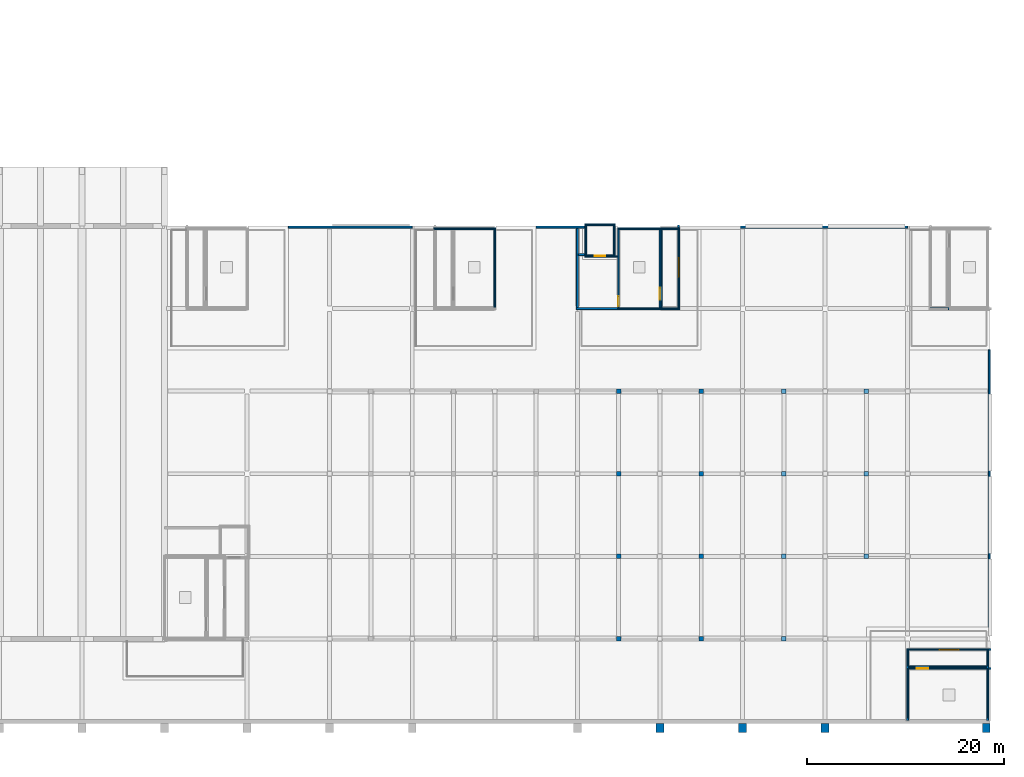
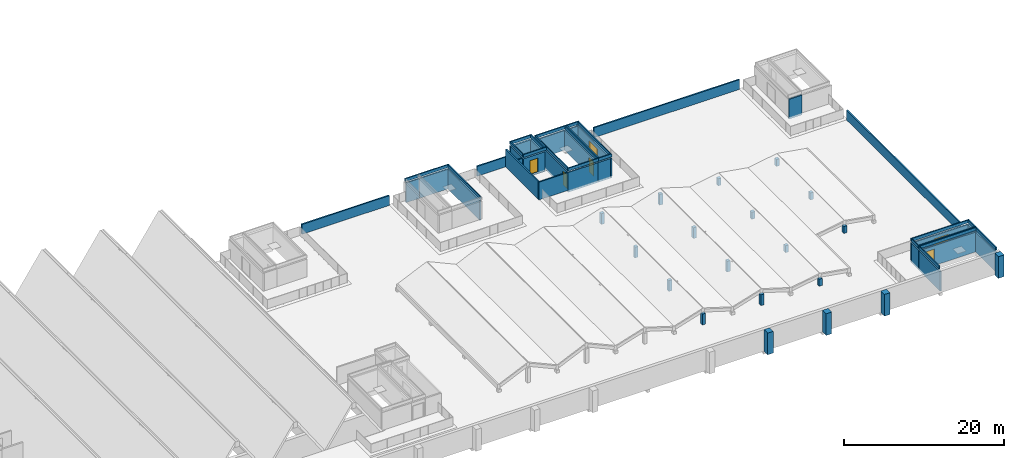
# One storey, part 16 of 24: 69 walls, 6 doors, 6 openings.
"""IFC4 building model written with IfcOpenShell, lengths in metres."""

import ifcopenshell
import ifcopenshell.guid

model = None  # the IFC model being written
_history = None  # IfcOwnerHistory: only IFC2X3 demands one
_inside = {}  # id of a spatial element -> (the spatial element, [elements in it])
_under = {}  # id of a project, library or spatial element -> (it, [spatial elements below it])
_declared = {}  # id of a project -> (the project, [libraries it declares])
_typed = {}  # id of a type object -> (the type object, [elements of that type])
_made_of = {}  # id of a material, layer set ... -> (it, [elements and type objects made of it])


def new_model(schema):
    """Start an empty IFC model of exactly this schema.

    Asked for "IFC4X3", IfcOpenShell would pick the latest addendum, in which some entities
    have other attributes; the version numbers below select the first issue.
    IFC2X3 requires an IfcOwnerHistory on every rooted entity: one is made here for all.
    """
    global model, _history
    if schema == "IFC4X3":
        model = ifcopenshell.file(schema_version=(4, 3, 0, 0))
    else:
        model = ifcopenshell.file(schema=schema)
    _inside.clear()
    _under.clear()
    _declared.clear()
    _typed.clear()
    _made_of.clear()
    _history = None
    if model.schema == "IFC2X3":
        org = make("IfcOrganization", Name="unknown")
        user = make(
            "IfcPersonAndOrganization",
            ThePerson=make("IfcPerson", FamilyName="unknown"),
            TheOrganization=org,
        )
        app = make(
            "IfcApplication",
            ApplicationDeveloper=org,
            Version="unknown",
            ApplicationFullName="unknown",
            ApplicationIdentifier="unknown",
        )
        _history = make(
            "IfcOwnerHistory",
            OwningUser=user,
            OwningApplication=app,
            ChangeAction="ADDED",
            CreationDate=0,
        )
    return model


def make(cls, **values):
    """One entity of the class cls with the attributes given. An attribute that is None is left unset."""
    return model.create_entity(
        cls, **{name: value for name, value in values.items() if value is not None}
    )


def rooted(cls, **values):
    """An entity with a GlobalId (a new one), such as an element, a storey or a relation."""
    return make(cls, GlobalId=ifcopenshell.guid.new(), OwnerHistory=_history, **values)


def si_unit(unit_type, name, prefix=None):
    """IfcSIUnit, for example si_unit("LENGTHUNIT", "METRE", prefix="MILLI")."""
    return make("IfcSIUnit", UnitType=unit_type, Prefix=prefix, Name=name)


def assignment(units):
    """IfcUnitAssignment: the units of a project."""
    return None if units is None else make("IfcUnitAssignment", Units=units)


def point(xyz):
    """IfcCartesianPoint."""
    return None if xyz is None else make("IfcCartesianPoint", Coordinates=xyz)


def direction(xyz):
    """IfcDirection."""
    return None if xyz is None else make("IfcDirection", DirectionRatios=xyz)


def frame(location, z_axis=None, x_axis=None):
    """IfcAxis2Placement3D, a coordinate frame: its origin and axes. An axis left out is left unset."""
    return make(
        "IfcAxis2Placement3D",
        Location=point(location),
        Axis=direction(z_axis),
        RefDirection=direction(x_axis),
    )


def frame_2d(location, x_axis=None):
    """IfcAxis2Placement2D, a coordinate frame in the plane: its origin and x axis."""
    return make(
        "IfcAxis2Placement2D", Location=point(location), RefDirection=direction(x_axis)
    )


def origin():
    """The frame at (0, 0, 0) with its axes left unset."""
    return frame((0.0, 0.0, 0.0))


def place(relative_to, where):
    """IfcLocalPlacement: puts the frame where relative to a parent placement (None: the world)."""
    return make(
        "IfcLocalPlacement", PlacementRelTo=relative_to, RelativePlacement=where
    )


def context(
    kind, dimensions, precision=None, world=None, true_north=None, identifier=None
):
    """IfcGeometricRepresentationContext, for example the 3D "Model" context."""
    return make(
        "IfcGeometricRepresentationContext",
        ContextIdentifier=identifier,
        ContextType=kind,
        CoordinateSpaceDimension=dimensions,
        Precision=precision,
        WorldCoordinateSystem=world,
        TrueNorth=true_north,
    )


def subcontext(parent, identifier, kind, view, scale=None):
    """IfcGeometricRepresentationSubContext, for example "Body" below "Model"."""
    return make(
        "IfcGeometricRepresentationSubContext",
        ContextIdentifier=identifier,
        ContextType=kind,
        ParentContext=parent,
        TargetScale=scale,
        TargetView=view,
    )


def project(units=None, contexts=None):
    """IfcProject with its units and contexts."""
    return rooted(
        "IfcProject",
        Name="project",
        RepresentationContexts=contexts,
        UnitsInContext=assignment(units),
    )


def spatial(cls, under=None, at=None, **own):
    """A site, building, storey or space (cls), placed at a placement, below another one or the project."""
    s = rooted(cls, ObjectPlacement=at, **own)
    if under is not None:
        _under.setdefault(under.id(), (under, []))[1].append(s)
    return s


def profile(cls, at=None, kind="AREA", **sizes):
    """A parametric profile (cls). Its sizes go by their IFC names, for example OverallWidth=200.0."""
    return make(cls, ProfileType=kind, Position=at, **sizes)


def rectangle(**sizes):
    """IfcRectangleProfileDef."""
    return profile("IfcRectangleProfileDef", **sizes)


def extrude(swept, where, along, depth):
    """IfcExtrudedAreaSolid: the profile swept, set in the frame where, extruded along a direction by depth."""
    return make(
        "IfcExtrudedAreaSolid",
        SweptArea=swept,
        Position=where,
        ExtrudedDirection=direction(along),
        Depth=depth,
    )


def shape(context_of_items, identifier, shape_type, items):
    """IfcShapeRepresentation: the items that make up one representation, for example the "Body"."""
    return make(
        "IfcShapeRepresentation",
        ContextOfItems=context_of_items,
        RepresentationIdentifier=identifier,
        RepresentationType=shape_type,
        Items=items,
    )


def material(Name=None, Category=None):
    """IfcMaterial."""
    return make("IfcMaterial", Name=Name, Category=Category)


def layer(
    of_material, thickness, ventilated=None, Name=None, Category=None, Priority=None
):
    """IfcMaterialLayer: one layer of a wall or slab, of a material (None: an air gap)."""
    return make(
        "IfcMaterialLayer",
        Material=of_material,
        LayerThickness=thickness,
        IsVentilated=ventilated,
        Name=Name,
        Category=Category,
        Priority=Priority,
    )


def layer_set(layers, Name=None):
    """IfcMaterialLayerSet."""
    return make("IfcMaterialLayerSet", MaterialLayers=layers, LayerSetName=Name)


def made_of(thing, what):
    """Note that an element or type object is made of a material, layer set ...; save() writes the relation."""
    if what is not None:
        _made_of.setdefault(what.id(), (what, []))[1].append(thing)
    return thing


def type_object(cls, material=None, **own):
    """A type object (cls), such as IfcWallType, which elements share."""
    return made_of(rooted(cls, **own), material)


def element(
    cls,
    number,
    at=None,
    inside=None,
    cuts=None,
    type_object=None,
    material=None,
    context=None,
    identifier="Body",
    shape_type=None,
    held_by="IfcProductDefinitionShape",
    body=None,
    shapes=None,
    **own,
):
    """One element of the class cls, such as IfcWall. Its Tag is "e" and its number.

    at: its placement. inside: the storey or other place that contains it. cuts: it is an
    opening in that element (IfcRelVoidsElement). A single representation is given by context,
    identifier, shape_type and body (its items); several are given by shapes. held_by: the class
    of the entity that holds the representations. save() writes the other relations.
    """
    e = rooted(cls, Tag="e%d" % number, ObjectPlacement=at, **own)
    if body is not None:
        shapes = [shape(context, identifier, shape_type, body)]
    if shapes is not None:
        e.Representation = make(held_by, Representations=shapes)
    if inside is not None:
        _inside.setdefault(inside.id(), (inside, []))[1].append(e)
    if cuts is not None:
        rooted(
            "IfcRelVoidsElement", RelatingBuildingElement=cuts, RelatedOpeningElement=e
        )
    if type_object is not None:
        _typed.setdefault(type_object.id(), (type_object, []))[1].append(e)
    return made_of(e, material)


def fill(opening, filler):
    """IfcRelFillsElement: the door or window that sits in an opening."""
    return rooted(
        "IfcRelFillsElement",
        RelatingOpeningElement=opening,
        RelatedBuildingElement=filler,
    )


def aggregate(whole, parts):
    """IfcRelAggregates: a whole, such as a stair, and the parts it consists of."""
    return rooted("IfcRelAggregates", RelatingObject=whole, RelatedObjects=parts)


def save(model, path):
    """Write the relations noted so far, then the file.

    IfcRelAggregates (storeys below a building ...), IfcRelContainedInSpatialStructure (elements
    in a storey), IfcRelDefinesByType, IfcRelAssociatesMaterial and IfcRelDeclares: one each for
    every whole, place, type object, material and project.
    """
    for whole, parts in _under.values():
        aggregate(whole, parts)
    for where, things in _inside.values():
        rooted(
            "IfcRelContainedInSpatialStructure",
            RelatedElements=things,
            RelatingStructure=where,
        )
    for kind, things in _typed.values():
        rooted("IfcRelDefinesByType", RelatedObjects=things, RelatingType=kind)
    for what, things in _made_of.values():
        rooted("IfcRelAssociatesMaterial", RelatedObjects=things, RelatingMaterial=what)
    for by, libraries in _declared.values():
        rooted("IfcRelDeclares", RelatingContext=by, RelatedDefinitions=libraries)
    model.write(path)


model = new_model("IFC4")

# Units and contexts
model_context = context("Model", 3, precision=1e-05, world=origin(), true_north=direction((0.0, 1.0)))
body_context = subcontext(model_context, "Body", "Model", "MODEL_VIEW")
ifc_project = project(units=[si_unit("LENGTHUNIT", "METRE"), si_unit("AREAUNIT", "SQUARE_METRE"), si_unit("VOLUMEUNIT", "CUBIC_METRE"), si_unit("PLANEANGLEUNIT", "RADIAN"), si_unit("MASSUNIT", "GRAM", prefix="KILO")], contexts=[model_context])

# Site, building, storey
site_placement = place(None, origin())
site = spatial("IfcSite", under=ifc_project, at=site_placement, CompositionType="ELEMENT")
building_placement = place(site_placement, origin())
building = spatial("IfcBuilding", under=site, at=building_placement, Name="Rulbaag Community and Learning Centre", CompositionType="ELEMENT")
storey_placement = place(building_placement, frame((0.0, 0.0, 14.39990234375)))
storey = spatial("IfcBuildingStorey", under=building, at=storey_placement, Name="L03", CompositionType="ELEMENT", Elevation=14.39990234375)

# Walls
ifc_material_1 = material(Name="Concrete M40", Category="concrete")
ifc_layer_1 = layer(ifc_material_1, 0.800048828125)
ifc_layer_set_1 = layer_set([ifc_layer_1], Name="EW-BTR")
wall_type_1 = type_object("IfcWallType", Name="EW-BTR", PredefinedType="SOLIDWALL", material=ifc_layer_set_1)
for number, where, z_axis, x_axis, name in (
    (1, (134.39990234375, -0.22509765625, -0.2998046875), (0.0, 0.0, 1.0), (0.0, -1.0, 0.0), "Buttress pier"),
    (2, (142.800048828125, -0.22509765625, -0.2998046875), (0.0, 0.0, 1.0), (0.0, -1.0, 0.0), "Buttress pier"),
    (3, (151.199951171875, -0.22509765625, -0.2998046875), (0.0, 0.0, 1.0), (0.0, -1.0, 0.0), "Buttress pier"),
    (4, (167.60009765625, -0.22509765625, -0.2998046875), (0.0, 0.0, 1.0), (0.0, -1.0, 0.0), "Buttress pier"),
):
    element("IfcWall", number, at=place(storey_placement, frame(where, z_axis=z_axis, x_axis=x_axis)), inside=storey, type_object=wall_type_1, Name=name, PredefinedType="SOLIDWALL", context=body_context, shape_type="SweptSolid", body=[
        extrude(rectangle(XDim=0.89990234375, YDim=0.800048828125, at=frame_2d((0.449951171875, 0.0))), origin(), (0.0, 0.0, 1.0), 3.2998046875),
    ])
ifc_layer_2 = layer(ifc_material_1, 0.14990234375)
ifc_layer_set_2 = layer_set([ifc_layer_2], Name="EW-PAR150")
wall_type_2 = type_object("IfcWallType", Name="EW-PAR150", PredefinedType="PARAPET", material=ifc_layer_set_2)
for number, where, z_axis, x_axis, name in (
    (5, (130.10009765625, 41.97509765625, 2.900146484375), (0.0, 0.0, 1.0), (1.0, 0.0, 0.0), "Precast concrete roof upstand with drip nose, head house roofs"),
    (6, (130.10009765625, 50.14990234375, 2.900146484375), (0.0, 0.0, 1.0), (1.0, 0.0, 0.0), "Precast concrete roof upstand with drip nose, head house roofs"),
):
    element("IfcWall", number, at=place(storey_placement, frame(where, z_axis=z_axis, x_axis=x_axis)), inside=storey, type_object=wall_type_2, Name=name, PredefinedType="PARAPET", context=body_context, shape_type="SweptSolid", body=[
        extrude(rectangle(XDim=4.39990234375, YDim=0.14990234375, at=frame_2d((2.199951171875, 0.0))), origin(), (0.0, 0.0, 1.0), 0.449951171875),
    ])
for number, where, z_axis, x_axis, name in (
    (7, (130.175048828125, 42.050048828125, 2.900146484375), (0.0, 0.0, 1.0), (0.0, 1.0, 0.0), "Precast concrete roof upstand with drip nose, head house roofs"),
    (8, (134.425048828125, 42.050048828125, 2.900146484375), (0.0, 0.0, 1.0), (0.0, 1.0, 0.0), "Precast concrete roof upstand with drip nose, head house roofs"),
):
    element("IfcWall", number, at=place(storey_placement, frame(where, z_axis=z_axis, x_axis=x_axis)), inside=storey, type_object=wall_type_2, Name=name, PredefinedType="PARAPET", context=body_context, shape_type="SweptSolid", body=[
        extrude(rectangle(XDim=8.02490234375, YDim=0.14990234375, at=frame_2d((4.012451171875, 0.0))), origin(), (0.0, 0.0, 1.0), 0.449951171875),
    ])
for number, where, z_axis, x_axis, name in (
    (9, (134.5, 41.97509765625, 2.900146484375), (0.0, 0.0, 1.0), (1.0, 0.0, 0.0), "Precast concrete roof upstand with drip nose, head house roofs"),
    (10, (134.5, 50.14990234375, 2.900146484375), (0.0, 0.0, 1.0), (1.0, 0.0, 0.0), "Precast concrete roof upstand with drip nose, head house roofs"),
):
    element("IfcWall", number, at=place(storey_placement, frame(where, z_axis=z_axis, x_axis=x_axis)), inside=storey, type_object=wall_type_2, Name=name, PredefinedType="PARAPET", context=body_context, shape_type="SweptSolid", body=[
        extrude(rectangle(XDim=1.89990234375, YDim=0.14990234375, at=frame_2d((0.949951171875, 0.0))), origin(), (0.0, 0.0, 1.0), 0.449951171875),
    ])
for number, where, z_axis, x_axis, name in (
    (11, (134.574951171875, 42.050048828125, 2.900146484375), (0.0, 0.0, 1.0), (0.0, 1.0, 0.0), "Precast concrete roof upstand with drip nose, head house roofs"),
    (12, (136.324951171875, 42.050048828125, 2.900146484375), (0.0, 0.0, 1.0), (0.0, 1.0, 0.0), "Precast concrete roof upstand with drip nose, head house roofs"),
):
    element("IfcWall", number, at=place(storey_placement, frame(where, z_axis=z_axis, x_axis=x_axis)), inside=storey, type_object=wall_type_2, Name=name, PredefinedType="PARAPET", context=body_context, shape_type="SweptSolid", body=[
        extrude(rectangle(XDim=8.02490234375, YDim=0.14990234375, at=frame_2d((4.012451171875, 0.0))), origin(), (0.0, 0.0, 1.0), 0.449951171875),
    ])
wall_1_placement = place(storey_placement, frame((113.300048828125, 50.14990234375, 2.900146484375), z_axis=(0.0, 0.0, 1.0), x_axis=(1.0, 0.0, 0.0)))
element("IfcWall", 13, at=wall_1_placement, inside=storey, type_object=wall_type_2, Name="Precast concrete roof upstand with drip nose, head house roofs", PredefinedType="PARAPET", context=body_context, shape_type="SweptSolid", body=[
    extrude(rectangle(XDim=4.39990234375, YDim=0.14990234375, at=frame_2d((2.199951171875, 0.0))), origin(), (0.0, 0.0, 1.0), 0.449951171875),
])
wall_2_placement = place(storey_placement, frame((117.625, 42.050048828125, 2.900146484375), z_axis=(0.0, 0.0, 1.0), x_axis=(0.0, 1.0, 0.0)))
element("IfcWall", 14, at=wall_2_placement, inside=storey, type_object=wall_type_2, Name="Precast concrete roof upstand with drip nose, head house roofs", PredefinedType="PARAPET", context=body_context, shape_type="SweptSolid", body=[
    extrude(rectangle(XDim=8.02490234375, YDim=0.14990234375, at=frame_2d((4.012451171875, 0.0))), origin(), (0.0, 0.0, 1.0), 0.449951171875),
])
wall_3_placement = place(storey_placement, frame((111.39990234375, 50.14990234375, 2.900146484375), z_axis=(0.0, 0.0, 1.0), x_axis=(1.0, 0.0, 0.0)))
element("IfcWall", 15, at=wall_3_placement, inside=storey, type_object=wall_type_2, Name="Precast concrete roof upstand with drip nose, head house roofs", PredefinedType="PARAPET", context=body_context, shape_type="SweptSolid", body=[
    extrude(rectangle(XDim=1.900146484375, YDim=0.14990234375, at=frame_2d((0.9501953125, 0.0))), origin(), (0.0, 0.0, 1.0), 0.449951171875),
])
wall_4_placement = place(storey_placement, frame((159.5, 5.425048828125, 2.900146484375), z_axis=(0.0, 0.0, 1.0), x_axis=(1.0, 0.0, 0.0)))
element("IfcWall", 16, at=wall_4_placement, inside=storey, type_object=wall_type_2, Name="Precast concrete roof upstand with drip nose, head house roofs", PredefinedType="PARAPET", context=body_context, shape_type="SweptSolid", body=[
    extrude(rectangle(XDim=8.324951171875, YDim=0.14990234375, at=frame_2d((4.16259765625, 0.0))), origin(), (0.0, 0.0, 1.0), 0.449951171875),
])
for number, where, z_axis, x_axis, name in (
    (17, (159.574951171875, 0.375, 2.900146484375), (0.0, 0.0, 1.0), (0.0, 1.0, 0.0), "Precast concrete roof upstand with drip nose, head house roofs"),
    (18, (167.75, 0.375, 2.900146484375), (0.0, 0.0, 1.0), (0.0, 1.0, 0.0), "Precast concrete roof upstand with drip nose, head house roofs"),
):
    element("IfcWall", number, at=place(storey_placement, frame(where, z_axis=z_axis, x_axis=x_axis)), inside=storey, type_object=wall_type_2, Name=name, PredefinedType="PARAPET", context=body_context, shape_type="SweptSolid", body=[
        extrude(rectangle(XDim=4.97509765625, YDim=0.14990234375, at=frame_2d((2.487548828125, 0.0))), origin(), (0.0, 0.0, 1.0), 0.449951171875),
    ])
for number, where, z_axis, x_axis, name in (
    (19, (159.5, 5.574951171875, 2.900146484375), (0.0, 0.0, 1.0), (1.0, 0.0, 0.0), "Precast concrete roof upstand with drip nose, head house roofs"),
    (20, (159.5, 7.324951171875, 2.900146484375), (0.0, 0.0, 1.0), (1.0, 0.0, 0.0), "Precast concrete roof upstand with drip nose, head house roofs"),
):
    element("IfcWall", number, at=place(storey_placement, frame(where, z_axis=z_axis, x_axis=x_axis)), inside=storey, type_object=wall_type_2, Name=name, PredefinedType="PARAPET", context=body_context, shape_type="SweptSolid", body=[
        extrude(rectangle(XDim=8.324951171875, YDim=0.14990234375, at=frame_2d((4.16259765625, 0.0))), origin(), (0.0, 0.0, 1.0), 0.449951171875),
    ])
for number, where, z_axis, x_axis, name in (
    (21, (159.574951171875, 5.64990234375, 2.900146484375), (0.0, 0.0, 1.0), (0.0, 1.0, 0.0), "Precast concrete roof upstand with drip nose, head house roofs"),
    (22, (167.75, 5.64990234375, 2.900146484375), (0.0, 0.0, 1.0), (0.0, 1.0, 0.0), "Precast concrete roof upstand with drip nose, head house roofs"),
):
    element("IfcWall", number, at=place(storey_placement, frame(where, z_axis=z_axis, x_axis=x_axis)), inside=storey, type_object=wall_type_2, Name=name, PredefinedType="PARAPET", context=body_context, shape_type="SweptSolid", body=[
        extrude(rectangle(XDim=1.60009765625, YDim=0.14990234375, at=frame_2d((0.800048828125, 0.0))), origin(), (0.0, 0.0, 1.0), 0.449951171875),
    ])
wall_5_placement = place(storey_placement, frame((126.75, 47.324951171875, 2.900146484375), z_axis=(0.0, 0.0, 1.0), x_axis=(1.0, 0.0, 0.0)))
element("IfcWall", 23, at=wall_5_placement, inside=storey, type_object=wall_type_2, Name="Precast concrete roof upstand with drip nose, head house roofs", PredefinedType="PARAPET", context=body_context, shape_type="SweptSolid", body=[
    extrude(rectangle(XDim=3.35009765625, YDim=0.14990234375, at=frame_2d((1.675048828125, 0.0))), origin(), (0.0, 0.0, 1.0), 0.449951171875),
])
for number, where, z_axis, x_axis, name in (
    (24, (126.75, 50.574951171875, 2.900146484375), (0.0, 0.0, 1.0), (1.0, 0.0, 0.0), "Precast concrete roof upstand with drip nose, head house roofs"),
    (25, (126.824951171875, 47.39990234375, 2.900146484375), (0.0, 0.0, 1.0), (0.0, 1.0, 0.0), "Precast concrete roof upstand with drip nose, head house roofs"),
    (26, (129.77490234375, 47.39990234375, 2.900146484375), (0.0, 0.0, 1.0), (0.0, 1.0, 0.0), "Precast concrete roof upstand with drip nose, head house roofs"),
):
    element("IfcWall", number, at=place(storey_placement, frame(where, z_axis=z_axis, x_axis=x_axis)), inside=storey, type_object=wall_type_2, Name=name, PredefinedType="PARAPET", context=body_context, shape_type="SweptSolid", body=[
        extrude(rectangle(XDim=3.10009765625, YDim=0.14990234375, at=frame_2d((1.550048828125, 0.0))), origin(), (0.0, 0.0, 1.0), 0.449951171875),
    ])
ifc_layer_3 = layer(ifc_material_1, 0.199951171875)
ifc_layer_set_3 = layer_set([ifc_layer_3], Name="EW-PAR200")
wall_type_3 = type_object("IfcWallType", Name="EW-PAR200", PredefinedType="PARAPET", material=ifc_layer_set_3)
wall_6_placement = place(storey_placement, frame((96.60009765625, 50.300048828125, 0.0), z_axis=(0.0, 0.0, 1.0), x_axis=(1.0, 0.0, 0.0)))
element("IfcWall", 27, at=wall_6_placement, inside=storey, type_object=wall_type_3, Name="Roof parapet", PredefinedType="PARAPET", context=body_context, shape_type="SweptSolid", body=[
    extrude(rectangle(XDim=12.599853515625, YDim=0.199951171875, at=frame_2d((6.2998046875, 0.0))), origin(), (0.0, 0.0, 1.0), 1.5),
])
wall_7_placement = place(storey_placement, frame((121.800048828125, 50.300048828125, 0.0), z_axis=(0.0, 0.0, 1.0), x_axis=(1.0, 0.0, 0.0)))
element("IfcWall", 28, at=wall_7_placement, inside=storey, type_object=wall_type_3, Name="Roof parapet", PredefinedType="PARAPET", context=body_context, shape_type="SweptSolid", body=[
    extrude(rectangle(XDim=4.949951171875, YDim=0.199951171875, at=frame_2d((2.47509765625, 0.0))), origin(), (0.0, 0.0, 1.0), 1.5),
])
wall_8_placement = place(storey_placement, frame((138.60009765625, 50.300048828125, 0.0), z_axis=(0.0, 0.0, 1.0), x_axis=(1.0, 0.0, 0.0)))
element("IfcWall", 29, at=wall_8_placement, inside=storey, type_object=wall_type_3, Name="Roof parapet", PredefinedType="PARAPET", context=body_context, shape_type="SweptSolid", body=[
    extrude(rectangle(XDim=21.0, YDim=0.199951171875, at=frame_2d((10.5, 0.0))), origin(), (0.0, 0.0, 1.0), 1.5),
])
wall_9_placement = place(storey_placement, frame((167.89990234375, 37.800048828125, 0.0), z_axis=(0.0, 0.0, 1.0), x_axis=(0.0, -1.0, 0.0)))
element("IfcWall", 30, at=wall_9_placement, inside=storey, type_object=wall_type_3, Name="Roof parapet", PredefinedType="PARAPET", context=body_context, shape_type="SweptSolid", body=[
    extrude(rectangle(XDim=28.199951171875, YDim=0.199951171875, at=frame_2d((14.10009765625, 0.0))), origin(), (0.0, 0.0, 1.0), 1.5),
])
ifc_material_2 = material(Name="Concrete blockwork", Category="masonry")
ifc_layer_4 = layer(ifc_material_2, 0.199951171875)
ifc_layer_set_4 = layer_set([ifc_layer_4], Name="FW-200 FIRE WALL 200")
wall_type_4 = type_object("IfcWallType", Name="FW-200 FIRE WALL 200", PredefinedType="SOLIDWALL", material=ifc_layer_set_4)
wall_10_placement = place(storey_placement, frame((125.89990234375, 42.0, 0.0), z_axis=(0.0, 0.0, 1.0), x_axis=(1.0, 0.0, 0.0)))
element("IfcWall", 31, at=wall_10_placement, inside=storey, type_object=wall_type_4, Name="Fire wall L03 8", PredefinedType="SOLIDWALL", context=body_context, shape_type="SweptSolid", body=[
    extrude(rectangle(XDim=4.2001953125, YDim=0.199951171875, at=frame_2d((2.10009765625, 0.0))), origin(), (0.0, 0.0, 1.0), 2.7001953125),
])
wall_11_placement = place(storey_placement, frame((126.10009765625, 47.5, 0.0), z_axis=(0.0, 0.0, 1.0), x_axis=(1.0, 0.0, 0.0)))
element("IfcWall", 32, at=wall_11_placement, inside=storey, type_object=wall_type_4, Name="Fire wall L03 9", PredefinedType="SOLIDWALL", context=body_context, shape_type="SweptSolid", body=[
    extrude(rectangle(XDim=0.64990234375, YDim=0.199951171875, at=frame_2d((0.324951171875, 0.0))), origin(), (0.0, 0.0, 1.0), 2.7001953125),
])
wall_12_placement = place(storey_placement, frame((126.0, 42.10009765625, 0.0), z_axis=(0.0, 0.0, 1.0), x_axis=(0.0, 1.0, 0.0)))
element("IfcWall", 33, at=wall_12_placement, inside=storey, type_object=wall_type_4, Name="Fire wall L03 21", PredefinedType="SOLIDWALL", context=body_context, shape_type="SweptSolid", body=[
    extrude(rectangle(XDim=8.099853515625, YDim=0.199951171875, at=frame_2d((4.0498046875, 0.0))), origin(), (0.0, 0.0, 1.0), 2.7001953125),
])
ifc_layer_5 = layer(ifc_material_1, 0.199951171875)
ifc_layer_set_5 = layer_set([ifc_layer_5], Name="W14 Stair head wall 200 Concrete M40")
wall_type_5 = type_object("IfcWallType", Name="W14 Stair head wall 200 Concrete M40", PredefinedType="SHEAR", material=ifc_layer_set_5)
for number, where, z_axis, x_axis, name in (
    (34, (130.10009765625, 42.0, -0.2998046875), (0.0, 0.0, 1.0), (1.0, 0.0, 0.0), "WL-HEAD-SH3-S"),
    (35, (130.10009765625, 50.125, -0.2998046875), (0.0, 0.0, 1.0), (1.0, 0.0, 0.0), "WL-HEAD-SH3-N"),
):
    element("IfcWall", number, at=place(storey_placement, frame(where, z_axis=z_axis, x_axis=x_axis)), inside=storey, type_object=wall_type_5, Name=name, PredefinedType="SHEAR", context=body_context, shape_type="SweptSolid", body=[
        extrude(rectangle(XDim=4.39990234375, YDim=0.199951171875, at=frame_2d((2.199951171875, 0.0))), origin(), (0.0, 0.0, 1.0), 3.0),
    ])

# Wall, opening, door
wall_13_placement = place(storey_placement, frame((130.199951171875, 42.10009765625, -0.2998046875), z_axis=(0.0, 0.0, 1.0), x_axis=(0.0, 1.0, 0.0)))
wall_13 = element("IfcWall", 36, at=wall_13_placement, inside=storey, type_object=wall_type_5, Name="WL-HEAD-SH3-W", PredefinedType="SHEAR", context=body_context, shape_type="SweptSolid", body=[
    extrude(rectangle(XDim=7.9248046875, YDim=0.199951171875, at=frame_2d((3.96240234375, 0.0))), origin(), (0.0, 0.0, 1.0), 3.0),
])
opening_1_placement = place(wall_13_placement, frame((0.14990234375, 0.0, 0.300048828125)))
opening_1 = element("IfcOpeningElement", 37, at=opening_1_placement, cuts=wall_13, Name="Opening L03-D026", PredefinedType="OPENING", context=body_context, shape_type="SweptSolid", body=[
    extrude(rectangle(XDim=1.0, YDim=2.10009765625, at=frame_2d((0.5, 1.050048828125))), frame((0.0, 0.10986328125, 0.0), z_axis=(0.0, -1.0, 0.0), x_axis=(1.0, 0.0, 0.0)), (0.0, 0.0, 1.0), 0.219970703125),
])
ifc_material_3 = material(Name="Galvanised steel", Category="steel")
door_type_1 = type_object("IfcDoorType", Name="FD-1000 FIRE DOOR 1000 x 2100", OperationType="SINGLE_SWING_LEFT", PredefinedType="DOOR", material=ifc_material_3)
door_1_placement = place(opening_1_placement, origin())
door_1 = element("IfcDoor", 38, at=door_1_placement, inside=storey, type_object=door_type_1, Name="Door L03-D026", OperationType="SINGLE_SWING_LEFT", OverallHeight=2.10009765625, OverallWidth=1.0, PredefinedType="DOOR", context=body_context, shape_type="SweptSolid", body=[
    extrude(rectangle(XDim=1.0, YDim=2.10009765625, at=frame_2d((0.5, 1.050048828125))), frame((0.0, 0.02490234375, 0.0), z_axis=(0.0, -1.0, 0.0), x_axis=(1.0, 0.0, 0.0)), (0.0, 0.0, 1.0), 0.050048828125),
])
fill(opening_1, door_1)

wall_14_placement = place(storey_placement, frame((134.39990234375, 42.10009765625, -0.2998046875), z_axis=(0.0, 0.0, 1.0), x_axis=(0.0, 1.0, 0.0)))
wall_14 = element("IfcWall", 39, at=wall_14_placement, inside=storey, type_object=wall_type_5, Name="WL-HEAD-SH3-E", PredefinedType="SHEAR", context=body_context, shape_type="SweptSolid", body=[
    extrude(rectangle(XDim=7.9248046875, YDim=0.199951171875, at=frame_2d((3.96240234375, 0.0))), origin(), (0.0, 0.0, 1.0), 3.0),
])
opening_2_placement = place(wall_14_placement, frame((0.800048828125, 0.0, 0.300048828125)))
opening_2 = element("IfcOpeningElement", 40, at=opening_2_placement, cuts=wall_14, Name="Opening L03-D027", PredefinedType="OPENING", context=body_context, shape_type="SweptSolid", body=[
    extrude(rectangle(XDim=1.199951171875, YDim=2.199951171875, at=frame_2d((0.60009765625, 1.10009765625))), frame((0.0, 0.10986328125, 0.0), z_axis=(0.0, -1.0, 0.0), x_axis=(1.0, 0.0, 0.0)), (0.0, 0.0, 1.0), 0.219970703125),
])
door_type_2 = type_object("IfcDoorType", Name="DT-12", OperationType="SINGLE_SWING_LEFT", PredefinedType="DOOR", material=ifc_material_3)
door_2_placement = place(opening_2_placement, origin())
door_2 = element("IfcDoor", 41, at=door_2_placement, inside=storey, type_object=door_type_2, Name="Lobby door L4", OperationType="SINGLE_SWING_LEFT", OverallHeight=2.199951171875, OverallWidth=1.199951171875, PredefinedType="DOOR", context=body_context, shape_type="SweptSolid", body=[
    extrude(rectangle(XDim=1.199951171875, YDim=2.199951171875, at=frame_2d((0.60009765625, 1.10009765625))), frame((0.0, 0.02490234375, 0.0), z_axis=(0.0, -1.0, 0.0), x_axis=(1.0, 0.0, 0.0)), (0.0, 0.0, 1.0), 0.050048828125),
])
fill(opening_2, door_2)

# Walls
for number, where, z_axis, x_axis, name in (
    (42, (134.39990234375, 42.0, -0.2998046875), (0.0, 0.0, 1.0), (1.0, 0.0, 0.0), "WL-LOBBY-SH3-S"),
    (43, (134.39990234375, 50.125, -0.2998046875), (0.0, 0.0, 1.0), (1.0, 0.0, 0.0), "WL-LOBBY-SH3-N"),
):
    element("IfcWall", number, at=place(storey_placement, frame(where, z_axis=z_axis, x_axis=x_axis)), inside=storey, type_object=wall_type_5, Name=name, PredefinedType="SHEAR", context=body_context, shape_type="SweptSolid", body=[
        extrude(rectangle(XDim=1.900146484375, YDim=0.199951171875, at=frame_2d((0.9501953125, 0.0))), origin(), (0.0, 0.0, 1.0), 3.0),
    ])

# Wall, opening, door
wall_15_placement = place(storey_placement, frame((136.300048828125, 41.89990234375, -0.2998046875), z_axis=(0.0, 0.0, 1.0), x_axis=(0.0, 1.0, 0.0)))
wall_15 = element("IfcWall", 44, at=wall_15_placement, inside=storey, type_object=wall_type_5, Name="WL-LOBBY-SH3-O", PredefinedType="SHEAR", context=body_context, shape_type="SweptSolid", body=[
    extrude(rectangle(XDim=8.60009765625, YDim=0.199951171875, at=frame_2d((4.300048828125, 0.0))), origin(), (0.0, 0.0, 1.0), 3.0),
])
opening_3_placement = place(wall_15_placement, frame((5.35009765625, 0.0, 0.300048828125), z_axis=(0.0, 0.0, 1.0), x_axis=(-1.0, 0.0, 0.0)))
opening_3 = element("IfcOpeningElement", 45, at=opening_3_placement, cuts=wall_15, Name="Opening L03-D028", PredefinedType="OPENING", context=body_context, shape_type="SweptSolid", body=[
    extrude(rectangle(XDim=2.10009765625, YDim=2.199951171875, at=frame_2d((1.050048828125, 1.10009765625))), frame((0.0, 0.10986328125, 0.0), z_axis=(0.0, -1.0, 0.0), x_axis=(1.0, 0.0, 0.0)), (0.0, 0.0, 1.0), 0.219970703125),
])
door_type_3 = type_object("IfcDoorType", Name="DX-21", OperationType="DOUBLE_DOOR_SINGLE_SWING", PredefinedType="DOOR", material=ifc_material_3)
door_3_placement = place(opening_3_placement, origin())
door_3 = element("IfcDoor", 46, at=door_3_placement, inside=storey, type_object=door_type_3, Name="Terrace door T4", OperationType="DOUBLE_DOOR_SINGLE_SWING", OverallHeight=2.199951171875, OverallWidth=2.10009765625, PredefinedType="DOOR", context=body_context, shape_type="SweptSolid", body=[
    extrude(rectangle(XDim=2.10009765625, YDim=0.012939453125, at=frame_2d((1.050048828125, 0.006591796875))), frame((0.0, 0.087890625, 0.0), z_axis=(0.0, -1.0, 0.0), x_axis=(1.0, 0.0, 0.0)), (0.0, 0.0, 1.0), 0.176025390625),
    extrude(rectangle(XDim=0.074951171875, YDim=2.112060546875, at=frame_2d((0.03759765625, 1.069091796875))), frame((0.0, 0.09814453125, 0.0), z_axis=(0.0, -1.0, 0.0), x_axis=(1.0, 0.0, 0.0)), (0.0, 0.0, 1.0), 0.196044921875),
    extrude(rectangle(XDim=0.074951171875, YDim=2.112060546875, at=frame_2d((2.0625, 1.069091796875))), frame((0.0, 0.09814453125, 0.0), z_axis=(0.0, -1.0, 0.0), x_axis=(1.0, 0.0, 0.0)), (0.0, 0.0, 1.0), 0.196044921875),
    extrude(rectangle(XDim=2.10009765625, YDim=0.074951171875, at=frame_2d((1.050048828125, 2.16259765625))), frame((0.0, 0.087890625, 0.0), z_axis=(0.0, -1.0, 0.0), x_axis=(1.0, 0.0, 0.0)), (0.0, 0.0, 1.0), 0.176025390625),
    extrude(rectangle(XDim=1.9501953125, YDim=2.112060546875, at=frame_2d((1.050048828125, 1.069091796875))), frame((0.0, 0.02490234375, 0.0), z_axis=(0.0, -1.0, 0.0), x_axis=(1.0, 0.0, 0.0)), (0.0, 0.0, 1.0), 0.050048828125),
])
fill(opening_3, door_3)

# Walls
wall_16_placement = place(storey_placement, frame((163.800048828125, 42.0, -0.2998046875), z_axis=(0.0, 0.0, 1.0), x_axis=(-1.0, 0.0, 0.0)))
element("IfcWall", 47, at=wall_16_placement, inside=storey, type_object=wall_type_5, Name="WL-LOBBY-SH4-S", PredefinedType="SHEAR", context=body_context, shape_type="SweptSolid", body=[
    extrude(rectangle(XDim=1.900146484375, YDim=0.199951171875, at=frame_2d((0.9501953125, 0.0))), origin(), (0.0, 0.0, 1.0), 3.0),
])
wall_17_placement = place(storey_placement, frame((113.300048828125, 50.125, -0.2998046875), z_axis=(0.0, 0.0, 1.0), x_axis=(1.0, 0.0, 0.0)))
element("IfcWall", 48, at=wall_17_placement, inside=storey, type_object=wall_type_5, Name="WL-HEAD-SH7-N", PredefinedType="SHEAR", context=body_context, shape_type="SweptSolid", body=[
    extrude(rectangle(XDim=4.39990234375, YDim=0.199951171875, at=frame_2d((2.199951171875, 0.0))), origin(), (0.0, 0.0, 1.0), 3.0),
])
wall_18_placement = place(storey_placement, frame((117.60009765625, 42.10009765625, -0.2998046875), z_axis=(0.0, 0.0, 1.0), x_axis=(0.0, 1.0, 0.0)))
element("IfcWall", 49, at=wall_18_placement, inside=storey, type_object=wall_type_5, Name="WL-HEAD-SH7-E", PredefinedType="SHEAR", context=body_context, shape_type="SweptSolid", body=[
    extrude(rectangle(XDim=7.9248046875, YDim=0.199951171875, at=frame_2d((3.96240234375, 0.0))), origin(), (0.0, 0.0, 1.0), 3.0),
])
wall_19_placement = place(storey_placement, frame((113.39990234375, 50.125, -0.2998046875), z_axis=(0.0, 0.0, 1.0), x_axis=(-1.0, 0.0, 0.0)))
element("IfcWall", 50, at=wall_19_placement, inside=storey, type_object=wall_type_5, Name="WL-LOBBY-SH7-N", PredefinedType="SHEAR", context=body_context, shape_type="SweptSolid", body=[
    extrude(rectangle(XDim=1.89990234375, YDim=0.199951171875, at=frame_2d((0.949951171875, 0.0))), origin(), (0.0, 0.0, 1.0), 3.0),
])

# Wall, opening, door
wall_20_placement = place(storey_placement, frame((159.5, 5.39990234375, -0.2998046875), z_axis=(0.0, 0.0, 1.0), x_axis=(1.0, 0.0, 0.0)))
wall_20 = element("IfcWall", 51, at=wall_20_placement, inside=storey, type_object=wall_type_5, Name="WL-HEAD-SH10-N", PredefinedType="SHEAR", context=body_context, shape_type="SweptSolid", body=[
    extrude(rectangle(XDim=8.60009765625, YDim=0.199951171875, at=frame_2d((4.300048828125, 0.0))), origin(), (0.0, 0.0, 1.0), 3.0),
])
opening_4_placement = place(wall_20_placement, frame((1.0, 0.0, 0.300048828125)))
opening_4 = element("IfcOpeningElement", 52, at=opening_4_placement, cuts=wall_20, Name="Opening L03-D051", PredefinedType="OPENING", context=body_context, shape_type="SweptSolid", body=[
    extrude(rectangle(XDim=1.199951171875, YDim=2.199951171875, at=frame_2d((0.60009765625, 1.10009765625))), frame((0.0, 0.10986328125, 0.0), z_axis=(0.0, -1.0, 0.0), x_axis=(1.0, 0.0, 0.0)), (0.0, 0.0, 1.0), 0.219970703125),
])
door_4_placement = place(opening_4_placement, origin())
door_4 = element("IfcDoor", 53, at=door_4_placement, inside=storey, type_object=door_type_2, Name="Lobby door L11", OperationType="SINGLE_SWING_RIGHT", OverallHeight=2.199951171875, OverallWidth=1.199951171875, PredefinedType="DOOR", context=body_context, shape_type="SweptSolid", body=[
    extrude(rectangle(XDim=1.199951171875, YDim=2.199951171875, at=frame_2d((0.60009765625, 1.10009765625))), frame((0.0, 0.02490234375, 0.0), z_axis=(0.0, -1.0, 0.0), x_axis=(1.0, 0.0, 0.0)), (0.0, 0.0, 1.0), 0.050048828125),
])
fill(opening_4, door_4)

# Walls
for number, where, z_axis, x_axis, name in (
    (54, (159.60009765625, 0.10009765625, -0.2998046875), (0.0, 0.0, 1.0), (0.0, 1.0, 0.0), "WL-HEAD-SH10-W"),
    (55, (167.72509765625, 0.10009765625, -0.2998046875), (0.0, 0.0, 1.0), (0.0, 1.0, 0.0), "WL-HEAD-SH10-E"),
):
    element("IfcWall", number, at=place(storey_placement, frame(where, z_axis=z_axis, x_axis=x_axis)), inside=storey, type_object=wall_type_5, Name=name, PredefinedType="SHEAR", context=body_context, shape_type="SweptSolid", body=[
        extrude(rectangle(XDim=5.199951171875, YDim=0.199951171875, at=frame_2d((2.60009765625, 0.0))), origin(), (0.0, 0.0, 1.0), 3.0),
    ])
for number, where, z_axis, x_axis, name in (
    (56, (159.60009765625, 5.39990234375, -0.2998046875), (0.0, 0.0, 1.0), (0.0, 1.0, 0.0), "WL-LOBBY-SH10-W"),
    (57, (167.72509765625, 5.39990234375, -0.2998046875), (0.0, 0.0, 1.0), (0.0, 1.0, 0.0), "WL-LOBBY-SH10-E"),
):
    element("IfcWall", number, at=place(storey_placement, frame(where, z_axis=z_axis, x_axis=x_axis)), inside=storey, type_object=wall_type_5, Name=name, PredefinedType="SHEAR", context=body_context, shape_type="SweptSolid", body=[
        extrude(rectangle(XDim=1.900146484375, YDim=0.199951171875, at=frame_2d((0.9501953125, 0.0))), origin(), (0.0, 0.0, 1.0), 3.0),
    ])

# Wall, opening, door
wall_21_placement = place(storey_placement, frame((159.5, 7.300048828125, -0.2998046875), z_axis=(0.0, 0.0, 1.0), x_axis=(1.0, 0.0, 0.0)))
wall_21 = element("IfcWall", 58, at=wall_21_placement, inside=storey, type_object=wall_type_5, Name="WL-LOBBY-SH10-O", PredefinedType="SHEAR", context=body_context, shape_type="SweptSolid", body=[
    extrude(rectangle(XDim=8.60009765625, YDim=0.199951171875, at=frame_2d((4.300048828125, 0.0))), origin(), (0.0, 0.0, 1.0), 3.0),
])
opening_5_placement = place(wall_21_placement, frame((3.25, 0.0, 0.300048828125)))
opening_5 = element("IfcOpeningElement", 59, at=opening_5_placement, cuts=wall_21, Name="Opening L03-D056", PredefinedType="OPENING", context=body_context, shape_type="SweptSolid", body=[
    extrude(rectangle(XDim=2.10009765625, YDim=2.199951171875, at=frame_2d((1.050048828125, 1.10009765625))), frame((0.0, 0.10986328125, 0.0), z_axis=(0.0, -1.0, 0.0), x_axis=(1.0, 0.0, 0.0)), (0.0, 0.0, 1.0), 0.219970703125),
])
door_5_placement = place(opening_5_placement, origin())
door_5 = element("IfcDoor", 60, at=door_5_placement, inside=storey, type_object=door_type_3, Name="Terrace door T11", OperationType="DOUBLE_DOOR_SINGLE_SWING", OverallHeight=2.199951171875, OverallWidth=2.10009765625, PredefinedType="DOOR", context=body_context, shape_type="SweptSolid", body=[
    extrude(rectangle(XDim=2.10009765625, YDim=0.012939453125, at=frame_2d((1.050048828125, 0.006591796875))), frame((0.0, 0.087890625, 0.0), z_axis=(0.0, -1.0, 0.0), x_axis=(1.0, 0.0, 0.0)), (0.0, 0.0, 1.0), 0.176025390625),
    extrude(rectangle(XDim=0.074951171875, YDim=2.112060546875, at=frame_2d((0.03759765625, 1.069091796875))), frame((0.0, 0.09814453125, 0.0), z_axis=(0.0, -1.0, 0.0), x_axis=(1.0, 0.0, 0.0)), (0.0, 0.0, 1.0), 0.196044921875),
    extrude(rectangle(XDim=0.074951171875, YDim=2.112060546875, at=frame_2d((2.0625, 1.069091796875))), frame((0.0, 0.09814453125, 0.0), z_axis=(0.0, -1.0, 0.0), x_axis=(1.0, 0.0, 0.0)), (0.0, 0.0, 1.0), 0.196044921875),
    extrude(rectangle(XDim=2.10009765625, YDim=0.074951171875, at=frame_2d((1.050048828125, 2.16259765625))), frame((0.0, 0.087890625, 0.0), z_axis=(0.0, -1.0, 0.0), x_axis=(1.0, 0.0, 0.0)), (0.0, 0.0, 1.0), 0.176025390625),
    extrude(rectangle(XDim=1.9501953125, YDim=2.112060546875, at=frame_2d((1.050048828125, 1.069091796875))), frame((0.0, 0.02490234375, 0.0), z_axis=(0.0, -1.0, 0.0), x_axis=(1.0, 0.0, 0.0)), (0.0, 0.0, 1.0), 0.050048828125),
])
fill(opening_5, door_5)

# Walls
ifc_layer_6 = layer(ifc_material_1, 0.449951171875)
ifc_layer_set_6 = layer_set([ifc_layer_6], Name="W15 Roof fold pier 450 Concrete M40")
wall_type_6 = type_object("IfcWallType", Name="W15 Roof fold pier 450 Concrete M40", PredefinedType="SHEAR", material=ifc_layer_set_6)
for number, where, z_axis, x_axis, name in (
    (61, (130.199951171875, 8.175048828125, 0.0), (0.0, 0.0, 1.0), (0.0, 1.0, 0.0), "WL-RF-RB13-4-1"),
    (62, (130.199951171875, 16.574951171875, 0.0), (0.0, 0.0, 1.0), (0.0, 1.0, 0.0), "WL-RF-RB13-4-2"),
    (63, (130.199951171875, 24.97509765625, 0.0), (0.0, 0.0, 1.0), (0.0, 1.0, 0.0), "WL-RF-RB13-4-3"),
    (64, (130.199951171875, 33.375, 0.0), (0.0, 0.0, 1.0), (0.0, 1.0, 0.0), "WL-RF-RB13-4-4"),
    (65, (138.60009765625, 8.175048828125, 0.0), (0.0, 0.0, 1.0), (0.0, 1.0, 0.0), "WL-RF-RB13-5-1"),
    (66, (138.60009765625, 16.574951171875, 0.0), (0.0, 0.0, 1.0), (0.0, 1.0, 0.0), "WL-RF-RB13-5-2"),
    (67, (138.60009765625, 24.97509765625, 0.0), (0.0, 0.0, 1.0), (0.0, 1.0, 0.0), "WL-RF-RB13-5-3"),
    (68, (138.60009765625, 33.375, 0.0), (0.0, 0.0, 1.0), (0.0, 1.0, 0.0), "WL-RF-RB13-5-4"),
):
    element("IfcWall", number, at=place(storey_placement, frame(where, z_axis=z_axis, x_axis=x_axis)), inside=storey, type_object=wall_type_6, Name=name, PredefinedType="SHEAR", context=body_context, shape_type="SweptSolid", body=[
        extrude(rectangle(XDim=0.449951171875, YDim=0.449951171875, at=frame_2d((0.22509765625, 0.0))), origin(), (0.0, 0.0, 1.0), 1.63818359375),
    ])
for number, where, z_axis, x_axis, name in (
    (69, (147.0, 8.175048828125, 0.0), (0.0, 0.0, 1.0), (0.0, 1.0, 0.0), "WL-RF-RB13-6-1"),
    (70, (147.0, 16.574951171875, 0.0), (0.0, 0.0, 1.0), (0.0, 1.0, 0.0), "WL-RF-RB13-6-2"),
    (71, (147.0, 24.97509765625, 0.0), (0.0, 0.0, 1.0), (0.0, 1.0, 0.0), "WL-RF-RB13-6-3"),
    (72, (147.0, 33.375, 0.0), (0.0, 0.0, 1.0), (0.0, 1.0, 0.0), "WL-RF-RB13-6-4"),
    (73, (155.39990234375, 16.574951171875, 0.0), (0.0, 0.0, 1.0), (0.0, 1.0, 0.0), "WL-RF-RC19-1-1"),
    (74, (155.39990234375, 24.97509765625, 0.0), (0.0, 0.0, 1.0), (0.0, 1.0, 0.0), "WL-RF-RC19-1-2"),
    (75, (155.39990234375, 33.375, 0.0), (0.0, 0.0, 1.0), (0.0, 1.0, 0.0), "WL-RF-RC19-1-3"),
):
    element("IfcWall", number, at=place(storey_placement, frame(where, z_axis=z_axis, x_axis=x_axis)), inside=storey, type_object=wall_type_6, Name=name, PredefinedType="SHEAR", context=body_context, shape_type="SweptSolid", body=[
        extrude(rectangle(XDim=0.449951171875, YDim=0.449951171875, at=frame_2d((0.22509765625, 0.0))), origin(), (0.0, 0.0, 1.0), 1.06689453125),
    ])

# Wall, opening, door
ifc_layer_7 = layer(ifc_material_1, 0.25)
ifc_layer_set_7 = layer_set([ifc_layer_7], Name="W8 Lift shaft wall 250 Concrete M40")
wall_type_7 = type_object("IfcWallType", Name="W8 Lift shaft wall 250 Concrete M40", PredefinedType="SHEAR", material=ifc_layer_set_7)
wall_22_placement = place(storey_placement, frame((126.75, 47.375, -0.2998046875), z_axis=(0.0, 0.0, 1.0), x_axis=(1.0, 0.0, 0.0)))
wall_22 = element("IfcWall", 76, at=wall_22_placement, inside=storey, type_object=wall_type_7, Name="WL-LH3-S-L03", PredefinedType="SHEAR", context=body_context, shape_type="SweptSolid", body=[
    extrude(rectangle(XDim=3.10009765625, YDim=0.25, at=frame_2d((1.550048828125, 0.0))), origin(), (0.0, 0.0, 1.0), 3.0),
])
opening_6_placement = place(wall_22_placement, frame((1.0, 0.0, 0.300048828125)))
opening_6 = element("IfcOpeningElement", 77, at=opening_6_placement, cuts=wall_22, Name="Opening L03-D025", PredefinedType="OPENING", context=body_context, shape_type="SweptSolid", body=[
    extrude(rectangle(XDim=1.10009765625, YDim=2.10009765625, at=frame_2d((0.550048828125, 1.050048828125))), frame((0.0, 0.135009765625, 0.0), z_axis=(0.0, -1.0, 0.0), x_axis=(1.0, 0.0, 0.0)), (0.0, 0.0, 1.0), 0.27001953125),
])
ifc_material_4 = material(Name="Stainless steel grade 304", Category="steel")
door_type_4 = type_object("IfcDoorType", Name="LD-1100 LIFT LANDING DOOR 1100 x 2100", OperationType="SLIDING_TO_LEFT", PredefinedType="DOOR", material=ifc_material_4)
door_6_placement = place(opening_6_placement, origin())
door_6 = element("IfcDoor", 78, at=door_6_placement, inside=storey, type_object=door_type_4, Name="Lift landing door LH3 L03", OperationType="SLIDING_TO_LEFT", OverallHeight=2.10009765625, OverallWidth=1.10009765625, PredefinedType="DOOR", context=body_context, shape_type="SweptSolid", body=[
    extrude(rectangle(XDim=1.10009765625, YDim=2.10009765625, at=frame_2d((0.550048828125, 1.050048828125))), frame((0.0, 0.02490234375, 0.0), z_axis=(0.0, -1.0, 0.0), x_axis=(1.0, 0.0, 0.0)), (0.0, 0.0, 1.0), 0.050048828125),
])
fill(opening_6, door_6)

# Walls
wall_23_placement = place(storey_placement, frame((126.75, 50.52490234375, -0.2998046875), z_axis=(0.0, 0.0, 1.0), x_axis=(1.0, 0.0, 0.0)))
element("IfcWall", 79, at=wall_23_placement, inside=storey, type_object=wall_type_7, Name="WL-LH3-N-L03", PredefinedType="SHEAR", context=body_context, shape_type="SweptSolid", body=[
    extrude(rectangle(XDim=3.10009765625, YDim=0.25, at=frame_2d((1.550048828125, 0.0))), origin(), (0.0, 0.0, 1.0), 3.0),
])
for number, where, z_axis, x_axis, name in (
    (80, (126.875, 47.5, -0.2998046875), (0.0, 0.0, 1.0), (0.0, 1.0, 0.0), "WL-LH3-W-L03"),
    (81, (129.72509765625, 47.5, -0.2998046875), (0.0, 0.0, 1.0), (0.0, 1.0, 0.0), "WL-LH3-E-L03"),
):
    element("IfcWall", number, at=place(storey_placement, frame(where, z_axis=z_axis, x_axis=x_axis)), inside=storey, type_object=wall_type_7, Name=name, PredefinedType="SHEAR", context=body_context, shape_type="SweptSolid", body=[
        extrude(rectangle(XDim=2.89990234375, YDim=0.25, at=frame_2d((1.449951171875, 0.0))), origin(), (0.0, 0.0, 1.0), 3.0),
    ])

save(model, "model.ifc")
